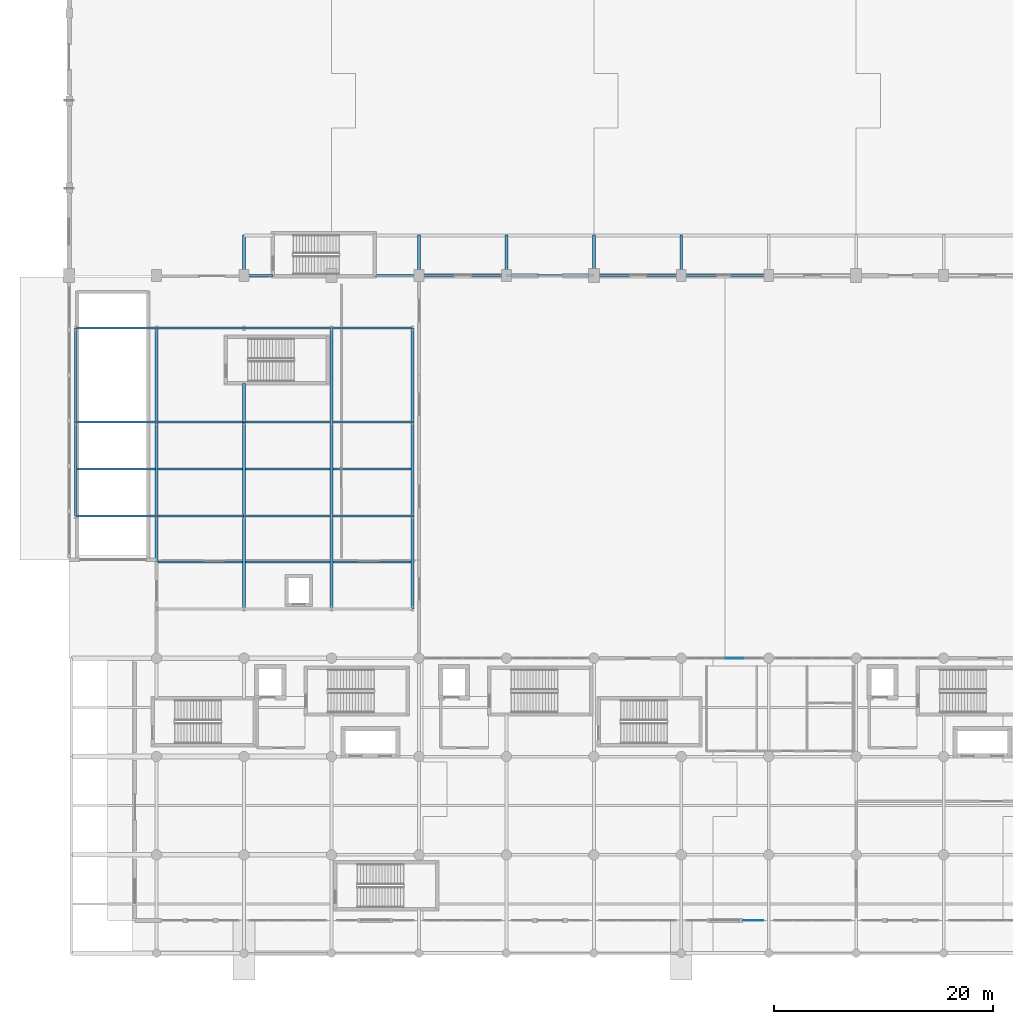
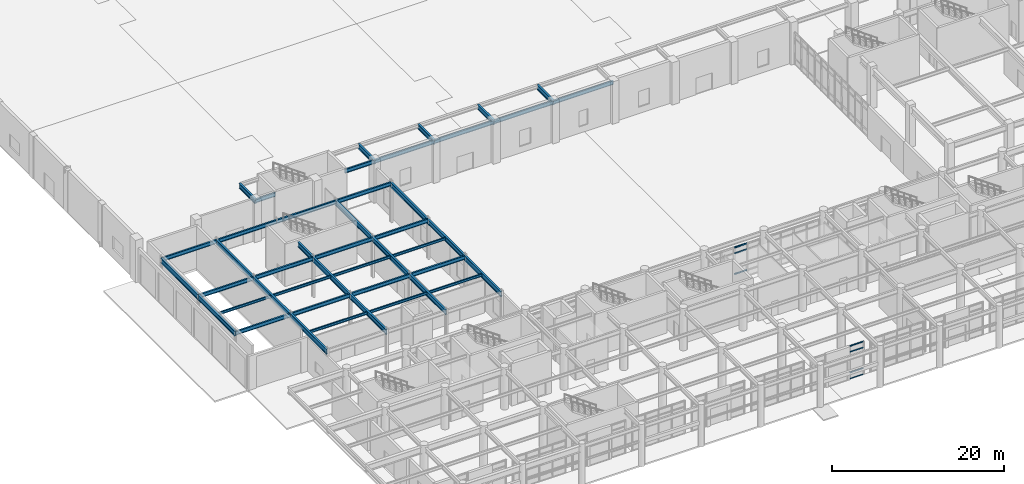
# One storey, part 11 of 49: 44 beams, 7 members, 2 elements without a shape of their own.
"""IFC4 building model written with IfcOpenShell, lengths in metres."""

import ifcopenshell
import ifcopenshell.guid

model = None  # the IFC model being written
_history = None  # IfcOwnerHistory: only IFC2X3 demands one
_inside = {}  # id of a spatial element -> (the spatial element, [elements in it])
_under = {}  # id of a project, library or spatial element -> (it, [spatial elements below it])
_declared = {}  # id of a project -> (the project, [libraries it declares])
_typed = {}  # id of a type object -> (the type object, [elements of that type])
_made_of = {}  # id of a material, layer set ... -> (it, [elements and type objects made of it])


def new_model(schema):
    """Start an empty IFC model of exactly this schema.

    Asked for "IFC4X3", IfcOpenShell would pick the latest addendum, in which some entities
    have other attributes; the version numbers below select the first issue.
    IFC2X3 requires an IfcOwnerHistory on every rooted entity: one is made here for all.
    """
    global model, _history
    if schema == "IFC4X3":
        model = ifcopenshell.file(schema_version=(4, 3, 0, 0))
    else:
        model = ifcopenshell.file(schema=schema)
    _inside.clear()
    _under.clear()
    _declared.clear()
    _typed.clear()
    _made_of.clear()
    _history = None
    if model.schema == "IFC2X3":
        org = make("IfcOrganization", Name="unknown")
        user = make(
            "IfcPersonAndOrganization",
            ThePerson=make("IfcPerson", FamilyName="unknown"),
            TheOrganization=org,
        )
        app = make(
            "IfcApplication",
            ApplicationDeveloper=org,
            Version="unknown",
            ApplicationFullName="unknown",
            ApplicationIdentifier="unknown",
        )
        _history = make(
            "IfcOwnerHistory",
            OwningUser=user,
            OwningApplication=app,
            ChangeAction="ADDED",
            CreationDate=0,
        )
    return model


def make(cls, **values):
    """One entity of the class cls with the attributes given. An attribute that is None is left unset."""
    return model.create_entity(
        cls, **{name: value for name, value in values.items() if value is not None}
    )


def rooted(cls, **values):
    """An entity with a GlobalId (a new one), such as an element, a storey or a relation."""
    return make(cls, GlobalId=ifcopenshell.guid.new(), OwnerHistory=_history, **values)


def si_unit(unit_type, name, prefix=None):
    """IfcSIUnit, for example si_unit("LENGTHUNIT", "METRE", prefix="MILLI")."""
    return make("IfcSIUnit", UnitType=unit_type, Prefix=prefix, Name=name)


def assignment(units):
    """IfcUnitAssignment: the units of a project."""
    return None if units is None else make("IfcUnitAssignment", Units=units)


def point(xyz):
    """IfcCartesianPoint."""
    return None if xyz is None else make("IfcCartesianPoint", Coordinates=xyz)


def direction(xyz):
    """IfcDirection."""
    return None if xyz is None else make("IfcDirection", DirectionRatios=xyz)


def frame(location, z_axis=None, x_axis=None):
    """IfcAxis2Placement3D, a coordinate frame: its origin and axes. An axis left out is left unset."""
    return make(
        "IfcAxis2Placement3D",
        Location=point(location),
        Axis=direction(z_axis),
        RefDirection=direction(x_axis),
    )


def frame_2d(location, x_axis=None):
    """IfcAxis2Placement2D, a coordinate frame in the plane: its origin and x axis."""
    return make(
        "IfcAxis2Placement2D", Location=point(location), RefDirection=direction(x_axis)
    )


def origin():
    """The frame at (0, 0, 0) with its axes left unset."""
    return frame((0.0, 0.0, 0.0))


def origin_2d():
    """The frame at (0, 0) in the plane with its x axis left unset."""
    return frame_2d((0.0, 0.0))


def place(relative_to, where):
    """IfcLocalPlacement: puts the frame where relative to a parent placement (None: the world)."""
    return make(
        "IfcLocalPlacement", PlacementRelTo=relative_to, RelativePlacement=where
    )


def context(
    kind, dimensions, precision=None, world=None, true_north=None, identifier=None
):
    """IfcGeometricRepresentationContext, for example the 3D "Model" context."""
    return make(
        "IfcGeometricRepresentationContext",
        ContextIdentifier=identifier,
        ContextType=kind,
        CoordinateSpaceDimension=dimensions,
        Precision=precision,
        WorldCoordinateSystem=world,
        TrueNorth=true_north,
    )


def subcontext(parent, identifier, kind, view, scale=None):
    """IfcGeometricRepresentationSubContext, for example "Body" below "Model"."""
    return make(
        "IfcGeometricRepresentationSubContext",
        ContextIdentifier=identifier,
        ContextType=kind,
        ParentContext=parent,
        TargetScale=scale,
        TargetView=view,
    )


def project(units=None, contexts=None):
    """IfcProject with its units and contexts."""
    return rooted(
        "IfcProject",
        Name="project",
        RepresentationContexts=contexts,
        UnitsInContext=assignment(units),
    )


def spatial(cls, under=None, at=None, **own):
    """A site, building, storey or space (cls), placed at a placement, below another one or the project."""
    s = rooted(cls, ObjectPlacement=at, **own)
    if under is not None:
        _under.setdefault(under.id(), (under, []))[1].append(s)
    return s


def profile(cls, at=None, kind="AREA", **sizes):
    """A parametric profile (cls). Its sizes go by their IFC names, for example OverallWidth=200.0."""
    return make(cls, ProfileType=kind, Position=at, **sizes)


def rectangle(**sizes):
    """IfcRectangleProfileDef."""
    return profile("IfcRectangleProfileDef", **sizes)


def i_section(**sizes):
    """IfcIShapeProfileDef."""
    return profile("IfcIShapeProfileDef", **sizes)


def extrude(swept, where, along, depth):
    """IfcExtrudedAreaSolid: the profile swept, set in the frame where, extruded along a direction by depth."""
    return make(
        "IfcExtrudedAreaSolid",
        SweptArea=swept,
        Position=where,
        ExtrudedDirection=direction(along),
        Depth=depth,
    )


def shape(context_of_items, identifier, shape_type, items):
    """IfcShapeRepresentation: the items that make up one representation, for example the "Body"."""
    return make(
        "IfcShapeRepresentation",
        ContextOfItems=context_of_items,
        RepresentationIdentifier=identifier,
        RepresentationType=shape_type,
        Items=items,
    )


def material(Name=None, Category=None):
    """IfcMaterial."""
    return make("IfcMaterial", Name=Name, Category=Category)


def layer(
    of_material, thickness, ventilated=None, Name=None, Category=None, Priority=None
):
    """IfcMaterialLayer: one layer of a wall or slab, of a material (None: an air gap)."""
    return make(
        "IfcMaterialLayer",
        Material=of_material,
        LayerThickness=thickness,
        IsVentilated=ventilated,
        Name=Name,
        Category=Category,
        Priority=Priority,
    )


def layer_set(layers, Name=None):
    """IfcMaterialLayerSet."""
    return make("IfcMaterialLayerSet", MaterialLayers=layers, LayerSetName=Name)


def material_profile(
    of_material, cross_section, Name=None, Category=None, Priority=None
):
    """IfcMaterialProfile: a cross section and its material."""
    return make(
        "IfcMaterialProfile",
        Name=Name,
        Material=of_material,
        Profile=cross_section,
        Priority=Priority,
        Category=Category,
    )


def profile_set(profiles, Name=None, composite=None):
    """IfcMaterialProfileSet."""
    return make(
        "IfcMaterialProfileSet",
        Name=Name,
        MaterialProfiles=profiles,
        CompositeProfile=composite,
    )


def made_of(thing, what):
    """Note that an element or type object is made of a material, layer set ...; save() writes the relation."""
    if what is not None:
        _made_of.setdefault(what.id(), (what, []))[1].append(thing)
    return thing


def type_object(cls, material=None, **own):
    """A type object (cls), such as IfcWallType, which elements share."""
    return made_of(rooted(cls, **own), material)


def element(
    cls,
    number,
    at=None,
    inside=None,
    cuts=None,
    type_object=None,
    material=None,
    context=None,
    identifier="Body",
    shape_type=None,
    held_by="IfcProductDefinitionShape",
    body=None,
    shapes=None,
    **own,
):
    """One element of the class cls, such as IfcWall. Its Tag is "e" and its number.

    at: its placement. inside: the storey or other place that contains it. cuts: it is an
    opening in that element (IfcRelVoidsElement). A single representation is given by context,
    identifier, shape_type and body (its items); several are given by shapes. held_by: the class
    of the entity that holds the representations. save() writes the other relations.
    """
    e = rooted(cls, Tag="e%d" % number, ObjectPlacement=at, **own)
    if body is not None:
        shapes = [shape(context, identifier, shape_type, body)]
    if shapes is not None:
        e.Representation = make(held_by, Representations=shapes)
    if inside is not None:
        _inside.setdefault(inside.id(), (inside, []))[1].append(e)
    if cuts is not None:
        rooted(
            "IfcRelVoidsElement", RelatingBuildingElement=cuts, RelatedOpeningElement=e
        )
    if type_object is not None:
        _typed.setdefault(type_object.id(), (type_object, []))[1].append(e)
    return made_of(e, material)


def aggregate(whole, parts):
    """IfcRelAggregates: a whole, such as a stair, and the parts it consists of."""
    return rooted("IfcRelAggregates", RelatingObject=whole, RelatedObjects=parts)


def save(model, path):
    """Write the relations noted so far, then the file.

    IfcRelAggregates (storeys below a building ...), IfcRelContainedInSpatialStructure (elements
    in a storey), IfcRelDefinesByType, IfcRelAssociatesMaterial and IfcRelDeclares: one each for
    every whole, place, type object, material and project.
    """
    for whole, parts in _under.values():
        aggregate(whole, parts)
    for where, things in _inside.values():
        rooted(
            "IfcRelContainedInSpatialStructure",
            RelatedElements=things,
            RelatingStructure=where,
        )
    for kind, things in _typed.values():
        rooted("IfcRelDefinesByType", RelatedObjects=things, RelatingType=kind)
    for what, things in _made_of.values():
        rooted("IfcRelAssociatesMaterial", RelatedObjects=things, RelatingMaterial=what)
    for by, libraries in _declared.values():
        rooted("IfcRelDeclares", RelatingContext=by, RelatedDefinitions=libraries)
    model.write(path)


model = new_model("IFC4")

# Units and contexts
model_context = context("Model", 3, precision=1e-05, world=origin(), true_north=direction((0.0, 1.0)))
body_context = subcontext(model_context, "Body", "Model", "MODEL_VIEW")
ifc_project = project(units=[si_unit("LENGTHUNIT", "METRE"), si_unit("AREAUNIT", "SQUARE_METRE"), si_unit("VOLUMEUNIT", "CUBIC_METRE"), si_unit("PLANEANGLEUNIT", "RADIAN"), si_unit("MASSUNIT", "GRAM", prefix="KILO")], contexts=[model_context])

# Site, building, storey
site_placement = place(None, origin())
site = spatial("IfcSite", under=ifc_project, at=site_placement, CompositionType="ELEMENT")
building_placement = place(site_placement, origin())
building = spatial("IfcBuilding", under=site, at=building_placement, Name="Tlacozan Convention Centre", CompositionType="ELEMENT")
storey_placement = place(building_placement, origin())
storey = spatial("IfcBuildingStorey", under=building, at=storey_placement, Name="L00", CompositionType="ELEMENT", Elevation=0.0)

# Curtain wall, members
ifc_material_1 = material(Name="Dark Bronze Anodised Aluminium", Category="aluminium")
ifc_layer_1 = layer(ifc_material_1, 0.199951171875)
ifc_layer_set_1 = layer_set([ifc_layer_1], Name="Dark Bronze Anodised Aluminium")
curtain_wall_type_1 = type_object("IfcCurtainWallType", Name="Unitised Courtyard Cloister L00 CW07", PredefinedType="NOTDEFINED", material=ifc_layer_set_1)
curtain_wall_1_placement = place(storey_placement, origin())
curtain_wall_1 = element("IfcCurtainWall", 1, at=curtain_wall_1_placement, inside=storey, type_object=curtain_wall_type_1, Name="L00 CW-07 Run 52", PredefinedType="NOTDEFINED")
ifc_material_profile_1 = material_profile(ifc_material_1, rectangle(XDim=0.074951171875, YDim=0.14990234375, at=origin_2d()), Name="ALU 75x150")
ifc_profile_set_1 = profile_set([ifc_material_profile_1], Name="Dark Bronze Anodised Aluminium")
member_type_1 = type_object("IfcMemberType", Name="Curtain Wall Heavy Transom 75x150", PredefinedType="USERDEFINED", material=ifc_profile_set_1)
member_1_placement = place(storey_placement, frame((60.03759765625, 27.0, 0.89990234375), z_axis=(1.0, 0.0, 0.0), x_axis=(0.0, 1.0, 0.0)))
member_1 = element("IfcMember", 2, at=member_1_placement, type_object=member_type_1, Name="CW-07 transom 3.2", ObjectType="TRANSOM", PredefinedType="USERDEFINED", context=body_context, shape_type="SweptSolid", body=[
    extrude(rectangle(XDim=0.074951171875, YDim=0.14990234375, at=origin_2d()), origin(), (0.0, 0.0, 1.0), 1.6748046875),
])
member_2_placement = place(storey_placement, frame((60.03759765625, 27.0, 3.85009765625), z_axis=(1.0, 0.0, 0.0), x_axis=(0.0, 1.0, 0.0)))
member_2 = element("IfcMember", 3, at=member_2_placement, type_object=member_type_1, Name="CW-07 transom 3.3", ObjectType="TRANSOM", PredefinedType="USERDEFINED", context=body_context, shape_type="SweptSolid", body=[
    extrude(rectangle(XDim=0.074951171875, YDim=0.14990234375, at=origin_2d()), origin(), (0.0, 0.0, 1.0), 1.6748046875),
])
member_3_placement = place(storey_placement, frame((60.03759765625, 27.0, 4.66259765625), z_axis=(1.0, 0.0, 0.0), x_axis=(0.0, 1.0, 0.0)))
member_3 = element("IfcMember", 4, at=member_3_placement, type_object=member_type_1, Name="CW-07 transom 3.4", ObjectType="TRANSOM", PredefinedType="USERDEFINED", context=body_context, shape_type="SweptSolid", body=[
    extrude(rectangle(XDim=0.074951171875, YDim=0.14990234375, at=origin_2d()), origin(), (0.0, 0.0, 1.0), 1.6748046875),
])
aggregate(curtain_wall_1, [member_1, member_2, member_3])

ifc_layer_2 = layer(ifc_material_1, 0.159912109375)
ifc_layer_set_2 = layer_set([ifc_layer_2], Name="Dark Bronze Anodised Aluminium")
curtain_wall_type_2 = type_object("IfcCurtainWallType", Name="Unitised Concourse Curtain Wall CW01", PredefinedType="NOTDEFINED", material=ifc_layer_set_2)
curtain_wall_2_placement = place(storey_placement, origin())
curtain_wall_2 = element("IfcCurtainWall", 5, at=curtain_wall_2_placement, inside=storey, type_object=curtain_wall_type_2, Name="L00 CW-01 Run 40", PredefinedType="NOTDEFINED")
ifc_material_profile_2 = material_profile(ifc_material_1, rectangle(XDim=0.06494140625, YDim=0.125, at=origin_2d()), Name="ALU 65x125")
ifc_profile_set_2 = profile_set([ifc_material_profile_2], Name="Dark Bronze Anodised Aluminium")
member_type_2 = type_object("IfcMemberType", Name="Curtain Wall Transom 65x125", PredefinedType="USERDEFINED", material=ifc_profile_set_2)
member_4_placement = place(storey_placement, frame((61.68505859375, 3.0, 0.032470703125), z_axis=(1.0, 0.0, 0.0), x_axis=(0.0, 1.0, 0.0)))
member_4 = element("IfcMember", 6, at=member_4_placement, type_object=member_type_2, Name="CW-01 transom 1.1", ObjectType="TRANSOM", PredefinedType="USERDEFINED", context=body_context, shape_type="SweptSolid", body=[
    extrude(rectangle(XDim=0.06494140625, YDim=0.125, at=origin_2d()), origin(), (0.0, 0.0, 1.0), 1.800048828125),
])
member_5_placement = place(storey_placement, frame((61.68505859375, 3.0, 0.89990234375), z_axis=(1.0, 0.0, 0.0), x_axis=(0.0, 1.0, 0.0)))
member_5 = element("IfcMember", 7, at=member_5_placement, type_object=member_type_2, Name="CW-01 transom 1.2", ObjectType="TRANSOM", PredefinedType="USERDEFINED", context=body_context, shape_type="SweptSolid", body=[
    extrude(rectangle(XDim=0.06494140625, YDim=0.125, at=origin_2d()), origin(), (0.0, 0.0, 1.0), 1.800048828125),
])
member_6_placement = place(storey_placement, frame((61.68505859375, 3.0, 3.85009765625), z_axis=(1.0, 0.0, 0.0), x_axis=(0.0, 1.0, 0.0)))
member_6 = element("IfcMember", 8, at=member_6_placement, type_object=member_type_2, Name="CW-01 transom 1.3", ObjectType="TRANSOM", PredefinedType="USERDEFINED", context=body_context, shape_type="SweptSolid", body=[
    extrude(rectangle(XDim=0.06494140625, YDim=0.125, at=origin_2d()), origin(), (0.0, 0.0, 1.0), 1.800048828125),
])
member_7_placement = place(storey_placement, frame((61.68505859375, 3.0, 4.66748046875), z_axis=(1.0, 0.0, 0.0), x_axis=(0.0, 1.0, 0.0)))
member_7 = element("IfcMember", 9, at=member_7_placement, type_object=member_type_2, Name="CW-01 transom 1.4", ObjectType="TRANSOM", PredefinedType="USERDEFINED", context=body_context, shape_type="SweptSolid", body=[
    extrude(rectangle(XDim=0.06494140625, YDim=0.125, at=origin_2d()), origin(), (0.0, 0.0, 1.0), 1.800048828125),
])
aggregate(curtain_wall_2, [member_4, member_5, member_6, member_7])

# Beams
ifc_material_2 = material(Name="Steel ASTM A992 Grade 50", Category="steel")
ifc_material_profile_3 = material_profile(ifc_material_2, i_section(OverallWidth=0.2109375, OverallDepth=0.5390625, WebThickness=0.01171875, FlangeThickness=0.018798828125, FilletRadius=0.012939453125, at=origin_2d()), Name="IR 533x109.0")
ifc_profile_set_3 = profile_set([ifc_material_profile_3], Name="Steel ASTM A992 Grade 50")
beam_type_1 = type_object("IfcBeamType", Name="Floor Beam IR 533x109", PredefinedType="BEAM", material=ifc_profile_set_3)
beam_1_placement = place(storey_placement, frame((16.0, 62.0, 5.50048828125), z_axis=(1.0, 0.0, 0.0), x_axis=(0.0, 1.0, 0.0)))
element("IfcBeam", 10, at=beam_1_placement, inside=storey, type_object=beam_type_1, Name="L00 Floor Beam IR 533x109 1318", PredefinedType="BEAM", context=body_context, shape_type="SweptSolid", body=[
    extrude(i_section(OverallWidth=0.2109375, OverallDepth=0.5390625, WebThickness=0.01171875, FlangeThickness=0.018798828125, FilletRadius=0.012939453125, at=origin_2d()), origin(), (0.0, 0.0, 1.0), 2.639892578125),
])
beam_2_placement = place(storey_placement, frame((27.9599609375, 62.0, 5.50048828125), z_axis=(1.0, 0.0, 0.0), x_axis=(0.0, 1.0, 0.0)))
element("IfcBeam", 11, at=beam_2_placement, inside=storey, type_object=beam_type_1, Name="L00 Floor Beam IR 533x109 1320", PredefinedType="BEAM", context=body_context, shape_type="SweptSolid", body=[
    extrude(i_section(OverallWidth=0.2109375, OverallDepth=0.5390625, WebThickness=0.01171875, FlangeThickness=0.018798828125, FilletRadius=0.012939453125, at=origin_2d()), origin(), (0.0, 0.0, 1.0), 4.0400390625),
])
for number, where, z_axis, x_axis, name in (
    (12, (32.0, 62.0, 5.50048828125), (1.0, 0.0, 0.0), (0.0, 1.0, 0.0), "L00 Floor Beam IR 533x109 1322"),
    (13, (40.0, 62.0, 5.50048828125), (1.0, 0.0, 0.0), (0.0, 1.0, 0.0), "L00 Floor Beam IR 533x109 1324"),
    (14, (48.0, 62.0, 5.50048828125), (1.0, 0.0, 0.0), (0.0, 1.0, 0.0), "L00 Floor Beam IR 533x109 1326"),
    (15, (56.0, 62.0, 5.50048828125), (1.0, 0.0, 0.0), (0.0, 1.0, 0.0), "L00 Floor Beam IR 533x109 1328"),
):
    element("IfcBeam", number, at=place(storey_placement, frame(where, z_axis=z_axis, x_axis=x_axis)), inside=storey, type_object=beam_type_1, Name=name, PredefinedType="BEAM", context=body_context, shape_type="SweptSolid", body=[
        extrude(i_section(OverallWidth=0.2109375, OverallDepth=0.5390625, WebThickness=0.01171875, FlangeThickness=0.018798828125, FilletRadius=0.012939453125, at=origin_2d()), origin(), (0.0, 0.0, 1.0), 8.0),
    ])
for number, where, z_axis, x_axis, name in (
    (16, (0.60009765625, 40.0, 5.450439453125), (1.0, 0.0, 0.0), (0.0, 1.0, 0.0), "L00 Floor Beam IR 533x109 1665"),
    (17, (0.60009765625, 48.60009765625, 5.450439453125), (1.0, 0.0, 0.0), (0.0, 1.0, 0.0), "L00 Floor Beam IR 533x109 1666"),
    (18, (0.60009765625, 57.199951171875, 5.450439453125), (1.0, 0.0, 0.0), (0.0, 1.0, 0.0), "L00 Floor Beam IR 533x109 1667"),
):
    element("IfcBeam", number, at=place(storey_placement, frame(where, z_axis=z_axis, x_axis=x_axis)), inside=storey, type_object=beam_type_1, Name=name, PredefinedType="BEAM", context=body_context, shape_type="SweptSolid", body=[
        extrude(i_section(OverallWidth=0.2109375, OverallDepth=0.5390625, WebThickness=0.01171875, FlangeThickness=0.018798828125, FilletRadius=0.012939453125, at=origin_2d()), origin(), (0.0, 0.0, 1.0), 7.39990234375),
    ])
for number, where, z_axis, x_axis, name in (
    (19, (8.0, 40.0, 5.450439453125), (1.0, 0.0, 0.0), (0.0, 1.0, 0.0), "L00 Floor Beam IR 533x109 1670"),
    (20, (8.0, 48.60009765625, 5.450439453125), (1.0, 0.0, 0.0), (0.0, 1.0, 0.0), "L00 Floor Beam IR 533x109 1671"),
    (21, (8.0, 57.199951171875, 5.450439453125), (1.0, 0.0, 0.0), (0.0, 1.0, 0.0), "L00 Floor Beam IR 533x109 1672"),
    (22, (16.0, 40.0, 5.450439453125), (1.0, 0.0, 0.0), (0.0, 1.0, 0.0), "L00 Floor Beam IR 533x109 1676"),
    (23, (16.0, 48.60009765625, 5.450439453125), (1.0, 0.0, 0.0), (0.0, 1.0, 0.0), "L00 Floor Beam IR 533x109 1677"),
    (24, (16.0, 57.199951171875, 5.450439453125), (1.0, 0.0, 0.0), (0.0, 1.0, 0.0), "L00 Floor Beam IR 533x109 1678"),
):
    element("IfcBeam", number, at=place(storey_placement, frame(where, z_axis=z_axis, x_axis=x_axis)), inside=storey, type_object=beam_type_1, Name=name, PredefinedType="BEAM", context=body_context, shape_type="SweptSolid", body=[
        extrude(i_section(OverallWidth=0.2109375, OverallDepth=0.5390625, WebThickness=0.01171875, FlangeThickness=0.018798828125, FilletRadius=0.012939453125, at=origin_2d()), origin(), (0.0, 0.0, 1.0), 8.0),
    ])
for number, where, z_axis, x_axis, name in (
    (25, (24.0, 40.0, 5.450439453125), (1.0, 0.0, 0.0), (0.0, 1.0, 0.0), "L00 Floor Beam IR 533x109 1682"),
    (26, (24.0, 48.60009765625, 5.450439453125), (1.0, 0.0, 0.0), (0.0, 1.0, 0.0), "L00 Floor Beam IR 533x109 1683"),
    (27, (24.0, 57.199951171875, 5.450439453125), (1.0, 0.0, 0.0), (0.0, 1.0, 0.0), "L00 Floor Beam IR 533x109 1684"),
):
    element("IfcBeam", number, at=place(storey_placement, frame(where, z_axis=z_axis, x_axis=x_axis)), inside=storey, type_object=beam_type_1, Name=name, PredefinedType="BEAM", context=body_context, shape_type="SweptSolid", body=[
        extrude(i_section(OverallWidth=0.2109375, OverallDepth=0.5390625, WebThickness=0.01171875, FlangeThickness=0.018798828125, FilletRadius=0.012939453125, at=origin_2d()), origin(), (0.0, 0.0, 1.0), 7.39990234375),
    ])
ifc_material_profile_4 = material_profile(ifc_material_2, i_section(OverallWidth=0.256103515625, OverallDepth=0.693115234375, WebThickness=0.014404296875, FlangeThickness=0.023681640625, FilletRadius=0.014892578125, at=origin_2d()), Name="IR 686x170.0")
ifc_profile_set_4 = profile_set([ifc_material_profile_4], Name="Steel ASTM A992 Grade 50")
beam_type_2 = type_object("IfcBeamType", Name="Girder Steel IR 686x170", PredefinedType="BEAM", material=ifc_profile_set_4)
for number, where, z_axis, x_axis, name in (
    (28, (16.0, 62.0, 5.423583984375), (0.0, 1.0, 0.0), (-1.0, 0.0, 0.0), "L00 Girder Steel IR 686x170 1301"),
    (29, (32.0, 62.0, 5.423583984375), (0.0, 1.0, 0.0), (-1.0, 0.0, 0.0), "L00 Girder Steel IR 686x170 1302"),
    (30, (40.0, 62.0, 5.423583984375), (0.0, 1.0, 0.0), (-1.0, 0.0, 0.0), "L00 Girder Steel IR 686x170 1303"),
    (31, (48.0, 62.0, 5.423583984375), (0.0, 1.0, 0.0), (-1.0, 0.0, 0.0), "L00 Girder Steel IR 686x170 1304"),
    (32, (56.0, 62.0, 5.423583984375), (0.0, 1.0, 0.0), (-1.0, 0.0, 0.0), "L00 Girder Steel IR 686x170 1305"),
):
    element("IfcBeam", number, at=place(storey_placement, frame(where, z_axis=z_axis, x_axis=x_axis)), inside=storey, type_object=beam_type_2, Name=name, PredefinedType="BEAM", context=body_context, shape_type="SweptSolid", body=[
        extrude(i_section(OverallWidth=0.256103515625, OverallDepth=0.693115234375, WebThickness=0.014404296875, FlangeThickness=0.023681640625, FilletRadius=0.014892578125, at=origin_2d()), origin(), (0.0, 0.0, 1.0), 3.699951171875),
    ])
beam_3_placement = place(storey_placement, frame((0.60009765625, 40.0, 5.37353515625), z_axis=(0.0, 1.0, 0.0), x_axis=(-1.0, 0.0, 0.0)))
element("IfcBeam", 33, at=beam_3_placement, inside=storey, type_object=beam_type_2, Name="L00 Girder Steel IR 686x170 1651", PredefinedType="BEAM", context=body_context, shape_type="SweptSolid", body=[
    extrude(i_section(OverallWidth=0.256103515625, OverallDepth=0.693115234375, WebThickness=0.014404296875, FlangeThickness=0.023681640625, FilletRadius=0.014892578125, at=origin_2d()), origin(), (0.0, 0.0, 1.0), 8.60009765625),
])
beam_4_placement = place(storey_placement, frame((0.60009765625, 48.60009765625, 5.37353515625), z_axis=(0.0, 1.0, 0.0), x_axis=(-1.0, 0.0, 0.0)))
element("IfcBeam", 34, at=beam_4_placement, inside=storey, type_object=beam_type_2, Name="L00 Girder Steel IR 686x170 1652", PredefinedType="BEAM", context=body_context, shape_type="SweptSolid", body=[
    extrude(i_section(OverallWidth=0.256103515625, OverallDepth=0.693115234375, WebThickness=0.014404296875, FlangeThickness=0.023681640625, FilletRadius=0.014892578125, at=origin_2d()), origin(), (0.0, 0.0, 1.0), 8.599853515625),
])
beam_5_placement = place(storey_placement, frame((8.0, 31.5, 5.37353515625), z_axis=(0.0, 1.0, 0.0), x_axis=(-1.0, 0.0, 0.0)))
element("IfcBeam", 35, at=beam_5_placement, inside=storey, type_object=beam_type_2, Name="L00 Girder Steel IR 686x170 1653", PredefinedType="BEAM", context=body_context, shape_type="SweptSolid", body=[
    extrude(i_section(OverallWidth=0.256103515625, OverallDepth=0.693115234375, WebThickness=0.014404296875, FlangeThickness=0.023681640625, FilletRadius=0.014892578125, at=origin_2d()), origin(), (0.0, 0.0, 1.0), 8.5),
])
beam_6_placement = place(storey_placement, frame((8.0, 40.0, 5.37353515625), z_axis=(0.0, 1.0, 0.0), x_axis=(-1.0, 0.0, 0.0)))
element("IfcBeam", 36, at=beam_6_placement, inside=storey, type_object=beam_type_2, Name="L00 Girder Steel IR 686x170 1654", PredefinedType="BEAM", context=body_context, shape_type="SweptSolid", body=[
    extrude(i_section(OverallWidth=0.256103515625, OverallDepth=0.693115234375, WebThickness=0.014404296875, FlangeThickness=0.023681640625, FilletRadius=0.014892578125, at=origin_2d()), origin(), (0.0, 0.0, 1.0), 8.60009765625),
])
beam_7_placement = place(storey_placement, frame((8.0, 48.60009765625, 5.37353515625), z_axis=(0.0, 1.0, 0.0), x_axis=(-1.0, 0.0, 0.0)))
element("IfcBeam", 37, at=beam_7_placement, inside=storey, type_object=beam_type_2, Name="L00 Girder Steel IR 686x170 1655", PredefinedType="BEAM", context=body_context, shape_type="SweptSolid", body=[
    extrude(i_section(OverallWidth=0.256103515625, OverallDepth=0.693115234375, WebThickness=0.014404296875, FlangeThickness=0.023681640625, FilletRadius=0.014892578125, at=origin_2d()), origin(), (0.0, 0.0, 1.0), 8.599853515625),
])
beam_8_placement = place(storey_placement, frame((16.0, 31.5, 5.37353515625), z_axis=(0.0, 1.0, 0.0), x_axis=(-1.0, 0.0, 0.0)))
element("IfcBeam", 38, at=beam_8_placement, inside=storey, type_object=beam_type_2, Name="L00 Girder Steel IR 686x170 1656", PredefinedType="BEAM", context=body_context, shape_type="SweptSolid", body=[
    extrude(i_section(OverallWidth=0.256103515625, OverallDepth=0.693115234375, WebThickness=0.014404296875, FlangeThickness=0.023681640625, FilletRadius=0.014892578125, at=origin_2d()), origin(), (0.0, 0.0, 1.0), 8.5),
])
beam_9_placement = place(storey_placement, frame((16.0, 40.0, 5.37353515625), z_axis=(0.0, 1.0, 0.0), x_axis=(-1.0, 0.0, 0.0)))
element("IfcBeam", 39, at=beam_9_placement, inside=storey, type_object=beam_type_2, Name="L00 Girder Steel IR 686x170 1657", PredefinedType="BEAM", context=body_context, shape_type="SweptSolid", body=[
    extrude(i_section(OverallWidth=0.256103515625, OverallDepth=0.693115234375, WebThickness=0.014404296875, FlangeThickness=0.023681640625, FilletRadius=0.014892578125, at=origin_2d()), origin(), (0.0, 0.0, 1.0), 8.60009765625),
])
beam_10_placement = place(storey_placement, frame((16.0, 48.60009765625, 5.37353515625), z_axis=(0.0, 1.0, 0.0), x_axis=(-1.0, 0.0, 0.0)))
element("IfcBeam", 40, at=beam_10_placement, inside=storey, type_object=beam_type_2, Name="L00 Girder Steel IR 686x170 1658", PredefinedType="BEAM", context=body_context, shape_type="SweptSolid", body=[
    extrude(i_section(OverallWidth=0.256103515625, OverallDepth=0.693115234375, WebThickness=0.014404296875, FlangeThickness=0.023681640625, FilletRadius=0.014892578125, at=origin_2d()), origin(), (0.0, 0.0, 1.0), 3.539794921875),
])
beam_11_placement = place(storey_placement, frame((24.0, 31.5, 5.37353515625), z_axis=(0.0, 1.0, 0.0), x_axis=(-1.0, 0.0, 0.0)))
element("IfcBeam", 41, at=beam_11_placement, inside=storey, type_object=beam_type_2, Name="L00 Girder Steel IR 686x170 1659", PredefinedType="BEAM", context=body_context, shape_type="SweptSolid", body=[
    extrude(i_section(OverallWidth=0.256103515625, OverallDepth=0.693115234375, WebThickness=0.014404296875, FlangeThickness=0.023681640625, FilletRadius=0.014892578125, at=origin_2d()), origin(), (0.0, 0.0, 1.0), 8.5),
])
beam_12_placement = place(storey_placement, frame((24.0, 40.0, 5.37353515625), z_axis=(0.0, 1.0, 0.0), x_axis=(-1.0, 0.0, 0.0)))
element("IfcBeam", 42, at=beam_12_placement, inside=storey, type_object=beam_type_2, Name="L00 Girder Steel IR 686x170 1660", PredefinedType="BEAM", context=body_context, shape_type="SweptSolid", body=[
    extrude(i_section(OverallWidth=0.256103515625, OverallDepth=0.693115234375, WebThickness=0.014404296875, FlangeThickness=0.023681640625, FilletRadius=0.014892578125, at=origin_2d()), origin(), (0.0, 0.0, 1.0), 8.60009765625),
])
beam_13_placement = place(storey_placement, frame((24.0, 48.60009765625, 5.37353515625), z_axis=(0.0, 1.0, 0.0), x_axis=(-1.0, 0.0, 0.0)))
element("IfcBeam", 43, at=beam_13_placement, inside=storey, type_object=beam_type_2, Name="L00 Girder Steel IR 686x170 1661", PredefinedType="BEAM", context=body_context, shape_type="SweptSolid", body=[
    extrude(i_section(OverallWidth=0.256103515625, OverallDepth=0.693115234375, WebThickness=0.014404296875, FlangeThickness=0.023681640625, FilletRadius=0.014892578125, at=origin_2d()), origin(), (0.0, 0.0, 1.0), 8.599853515625),
])
beam_14_placement = place(storey_placement, frame((31.39990234375, 31.5, 5.37353515625), z_axis=(0.0, 1.0, 0.0), x_axis=(-1.0, 0.0, 0.0)))
element("IfcBeam", 44, at=beam_14_placement, inside=storey, type_object=beam_type_2, Name="L00 Girder Steel IR 686x170 1662", PredefinedType="BEAM", context=body_context, shape_type="SweptSolid", body=[
    extrude(i_section(OverallWidth=0.256103515625, OverallDepth=0.693115234375, WebThickness=0.014404296875, FlangeThickness=0.023681640625, FilletRadius=0.014892578125, at=origin_2d()), origin(), (0.0, 0.0, 1.0), 8.5),
])
beam_15_placement = place(storey_placement, frame((31.39990234375, 40.0, 5.37353515625), z_axis=(0.0, 1.0, 0.0), x_axis=(-1.0, 0.0, 0.0)))
element("IfcBeam", 45, at=beam_15_placement, inside=storey, type_object=beam_type_2, Name="L00 Girder Steel IR 686x170 1663", PredefinedType="BEAM", context=body_context, shape_type="SweptSolid", body=[
    extrude(i_section(OverallWidth=0.256103515625, OverallDepth=0.693115234375, WebThickness=0.014404296875, FlangeThickness=0.023681640625, FilletRadius=0.014892578125, at=origin_2d()), origin(), (0.0, 0.0, 1.0), 8.60009765625),
])
beam_16_placement = place(storey_placement, frame((31.39990234375, 48.60009765625, 5.37353515625), z_axis=(0.0, 1.0, 0.0), x_axis=(-1.0, 0.0, 0.0)))
element("IfcBeam", 46, at=beam_16_placement, inside=storey, type_object=beam_type_2, Name="L00 Girder Steel IR 686x170 1664", PredefinedType="BEAM", context=body_context, shape_type="SweptSolid", body=[
    extrude(i_section(OverallWidth=0.256103515625, OverallDepth=0.693115234375, WebThickness=0.014404296875, FlangeThickness=0.023681640625, FilletRadius=0.014892578125, at=origin_2d()), origin(), (0.0, 0.0, 1.0), 8.599853515625),
])
ifc_material_profile_5 = material_profile(ifc_material_2, i_section(OverallWidth=0.173095703125, OverallDepth=0.364013671875, WebThickness=0.009033203125, FlangeThickness=0.015625, FilletRadius=0.010009765625, at=origin_2d()), Name="IR 356x67.1")
ifc_profile_set_5 = profile_set([ifc_material_profile_5], Name="Steel ASTM A992 Grade 50")
beam_type_3 = type_object("IfcBeamType", Name="Secondary Joist IR 356x67.1", PredefinedType="JOIST", material=ifc_profile_set_5)
beam_17_placement = place(storey_placement, frame((0.72607421875, 44.300048828125, 5.5380859375), z_axis=(1.0, 0.0, 0.0), x_axis=(0.0, 1.0, 0.0)))
element("IfcBeam", 47, at=beam_17_placement, inside=storey, type_object=beam_type_3, Name="L00 Secondary Joist IR 356x67.1 1668", PredefinedType="JOIST", context=body_context, shape_type="SweptSolid", body=[
    extrude(i_section(OverallWidth=0.173095703125, OverallDepth=0.364013671875, WebThickness=0.009033203125, FlangeThickness=0.015625, FilletRadius=0.010009765625, at=origin_2d()), origin(), (0.0, 0.0, 1.0), 7.14794921875),
])
for number, where, z_axis, x_axis, name in (
    (48, (8.1259765625, 35.800048828125, 5.5380859375), (1.0, 0.0, 0.0), (0.0, 1.0, 0.0), "L00 Secondary Joist IR 356x67.1 1673"),
    (49, (8.1259765625, 44.300048828125, 5.5380859375), (1.0, 0.0, 0.0), (0.0, 1.0, 0.0), "L00 Secondary Joist IR 356x67.1 1674"),
    (50, (16.1259765625, 35.800048828125, 5.5380859375), (1.0, 0.0, 0.0), (0.0, 1.0, 0.0), "L00 Secondary Joist IR 356x67.1 1679"),
    (51, (16.1259765625, 44.300048828125, 5.5380859375), (1.0, 0.0, 0.0), (0.0, 1.0, 0.0), "L00 Secondary Joist IR 356x67.1 1680"),
):
    element("IfcBeam", number, at=place(storey_placement, frame(where, z_axis=z_axis, x_axis=x_axis)), inside=storey, type_object=beam_type_3, Name=name, PredefinedType="JOIST", context=body_context, shape_type="SweptSolid", body=[
        extrude(i_section(OverallWidth=0.173095703125, OverallDepth=0.364013671875, WebThickness=0.009033203125, FlangeThickness=0.015625, FilletRadius=0.010009765625, at=origin_2d()), origin(), (0.0, 0.0, 1.0), 7.748046875),
    ])
for number, where, z_axis, x_axis, name in (
    (52, (24.1259765625, 35.800048828125, 5.5380859375), (1.0, 0.0, 0.0), (0.0, 1.0, 0.0), "L00 Secondary Joist IR 356x67.1 1685"),
    (53, (24.1259765625, 44.300048828125, 5.5380859375), (1.0, 0.0, 0.0), (0.0, 1.0, 0.0), "L00 Secondary Joist IR 356x67.1 1686"),
):
    element("IfcBeam", number, at=place(storey_placement, frame(where, z_axis=z_axis, x_axis=x_axis)), inside=storey, type_object=beam_type_3, Name=name, PredefinedType="JOIST", context=body_context, shape_type="SweptSolid", body=[
        extrude(i_section(OverallWidth=0.173095703125, OverallDepth=0.364013671875, WebThickness=0.009033203125, FlangeThickness=0.015625, FilletRadius=0.010009765625, at=origin_2d()), origin(), (0.0, 0.0, 1.0), 7.14794921875),
    ])

save(model, "model.ifc")
